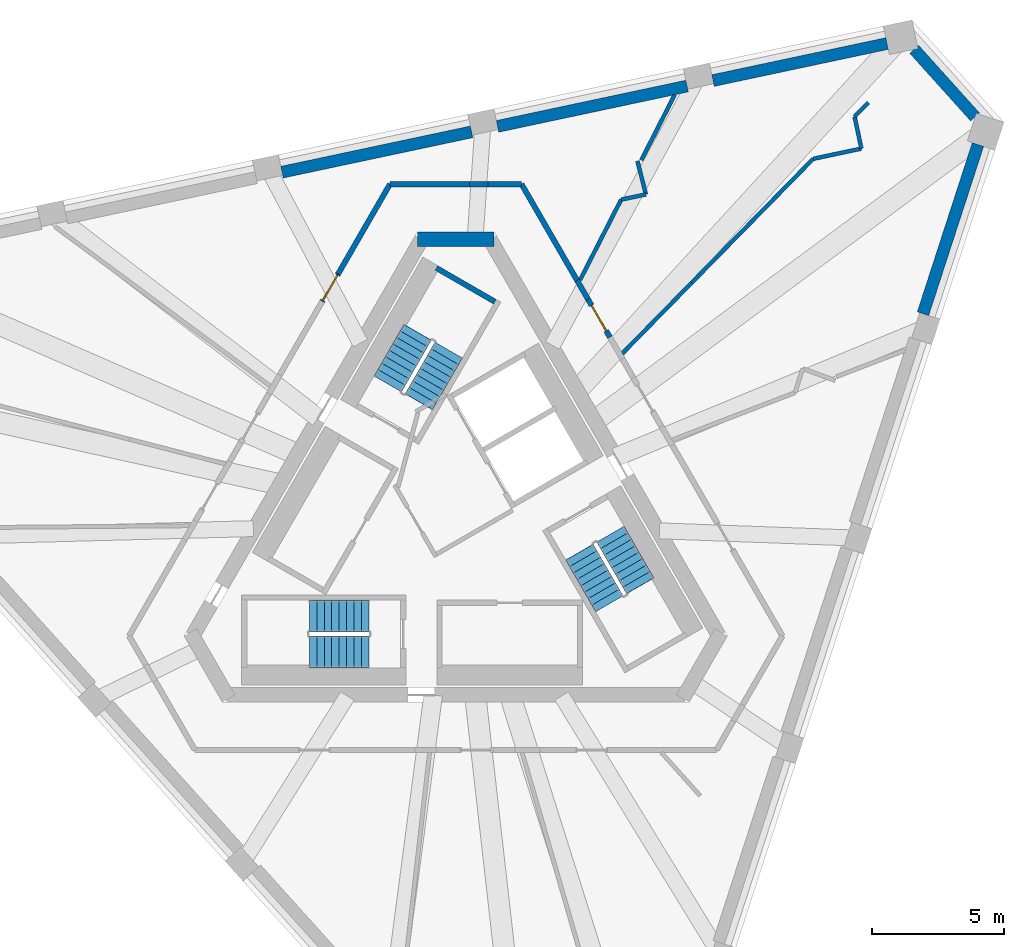
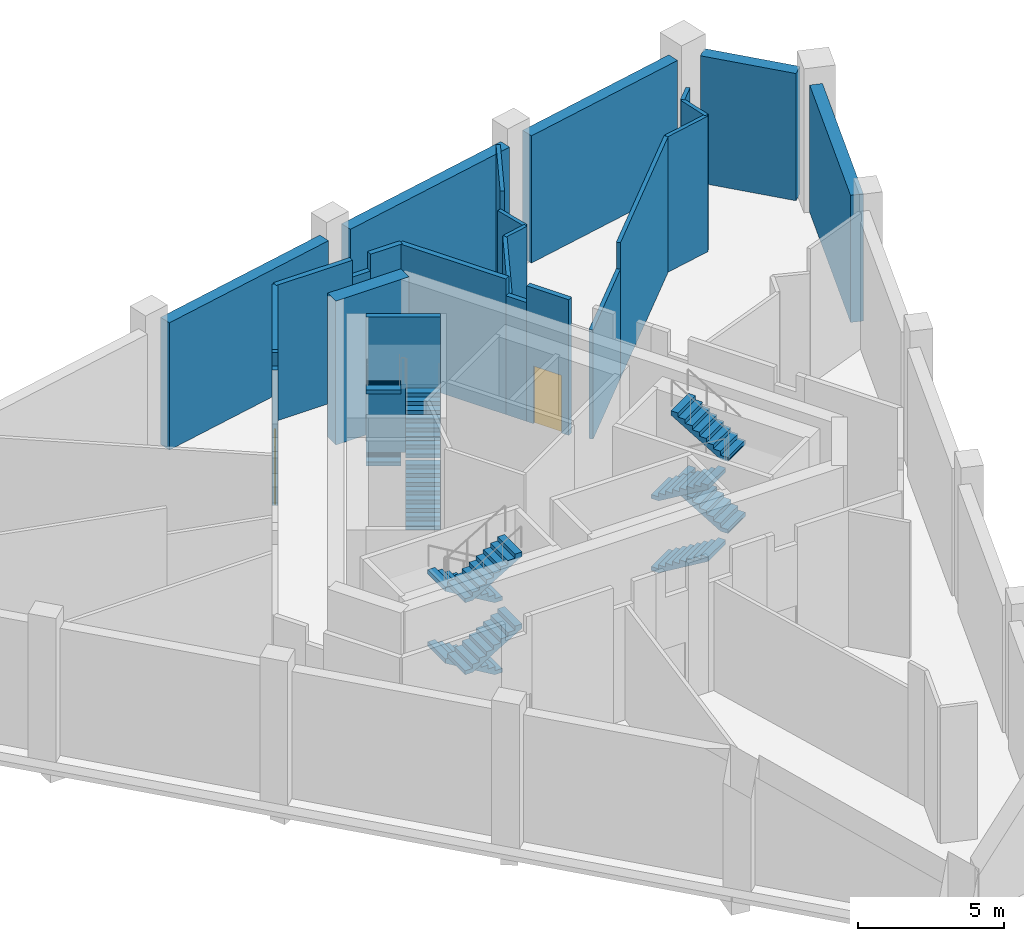
# One storey, part 4 of 5: 24 walls, 12 stair flights, 2 doors, 2 openings, 3 elements without a shape of their own.
"""IFC4 building model written with IfcOpenShell, lengths in metres."""

from ifc_helpers import new_model, si_unit, direction, frame, frame_2d, origin, place, context, subcontext, project, spatial, polyline, rectangle, outline, extrude, material, layer, layer_set, type_object, element, fill, aggregate, save


model = new_model("IFC4")

# Units and contexts
model_context = context("Model", 3, precision=1e-05, world=origin(), true_north=direction((0.0, 1.0)))
body_context = subcontext(model_context, "Body", "Model", "MODEL_VIEW")
ifc_project = project(units=[si_unit("LENGTHUNIT", "METRE"), si_unit("AREAUNIT", "SQUARE_METRE"), si_unit("VOLUMEUNIT", "CUBIC_METRE"), si_unit("PLANEANGLEUNIT", "RADIAN"), si_unit("MASSUNIT", "GRAM", prefix="KILO")], contexts=[model_context])

# Site, building, storey
site_placement = place(None, origin())
site = spatial("IfcSite", under=ifc_project, at=site_placement, CompositionType="ELEMENT")
building_placement = place(site_placement, origin())
building = spatial("IfcBuilding", under=site, at=building_placement, Name="Tramontana Tower", CompositionType="ELEMENT")
storey_placement = place(building_placement, frame((0.0, 0.0, 374.89990234375)))
storey = spatial("IfcBuildingStorey", under=building, at=storey_placement, Name="L86", CompositionType="ELEMENT", Elevation=374.89990234375)

# Wall
ifc_material_1 = material(Name="Concrete 70 MPa", Category="concrete")
ifc_layer_1 = layer(ifc_material_1, 0.550048828125)
ifc_layer_set_1 = layer_set([ifc_layer_1], Name="Core wall 550 70 MPa")
wall_type_1 = type_object("IfcWallType", Name="Core wall 550 70 MPa", PredefinedType="SHEAR", material=ifc_layer_set_1)
wall_1_placement = place(storey_placement, frame((1.443359375, 10.72509765625, 0.0), z_axis=(0.0, 0.0, 1.0), x_axis=(-1.0, 0.0, 0.0)))
element("IfcWall", 1, at=wall_1_placement, inside=storey, type_object=wall_type_1, Name="Core wall C0 L86", PredefinedType="SHEAR", context=body_context, shape_type="SweptSolid", body=[
    extrude(rectangle(XDim=2.88671875, YDim=0.550048828125, at=frame_2d((1.443359375, 0.0))), origin(), (0.0, 0.0, 1.0), 6.0),
])

# Wall, opening, door
ifc_material_2 = material(Name="Blockwork", Category="masonry")
ifc_layer_2 = layer(ifc_material_2, 0.199951171875)
ifc_layer_set_2 = layer_set([ifc_layer_2], Name="ENTRY WALL 200")
wall_type_2 = type_object("IfcWallType", Name="ENTRY WALL 200", PredefinedType="SOLIDWALL", material=ifc_layer_set_2)
wall_2_placement = place(storey_placement, frame((-5.037353515625, 8.375244140625, 0.0), z_axis=(0.0, 0.0, 1.0), x_axis=(0.50012165622, 0.865955154139, 0.0)))
wall_2 = element("IfcWall", 2, at=wall_2_placement, inside=storey, type_object=wall_type_2, Name="Wall ew3-9", PredefinedType="SOLIDWALL", context=body_context, shape_type="SweptSolid", body=[
    extrude(outline(polyline([(0.0, 0.0), (1.199951171875, 0.0), (1.199951171875, 5.650146484375), (1.043701171875, 5.650146484375), (1.043701171875, 4.9501953125), (0.21728515625, 4.9501953125), (0.21728515625, 5.650146484375), (0.0, 5.650146484375), (0.0, 0.0)])), frame((0.0, 0.10009765625, 0.0), z_axis=(0.0, -1.0, 0.0), x_axis=(1.0, 0.0, 0.0)), (0.0, 0.0, 1.0), 0.199951171875),
])
opening_1_placement = place(wall_2_placement, frame((0.050048828125, 0.0, 0.0)))
opening_1 = element("IfcOpeningElement", 3, at=opening_1_placement, cuts=wall_2, Name="Opening L86-01", PredefinedType="OPENING", context=body_context, shape_type="SweptSolid", body=[
    extrude(rectangle(XDim=1.10009765625, YDim=2.39990234375, at=frame_2d((0.550048828125, 1.199951171875))), frame((0.0, 0.10986328125, 0.0), z_axis=(0.0, -1.0, 0.0), x_axis=(1.0, 0.0, 0.0)), (0.0, 0.0, 1.0), 0.219970703125),
])
ifc_material_3 = material(Name="Painted timber", Category="wood")
door_type = type_object("IfcDoorType", Name="DOOR ENTRY 1100", OperationType="SINGLE_SWING_LEFT", PredefinedType="DOOR", material=ifc_material_3)
door_1_placement = place(opening_1_placement, origin())
door_1 = element("IfcDoor", 4, at=door_1_placement, inside=storey, type_object=door_type, Name="Door L86-01", OperationType="SINGLE_SWING_RIGHT", OverallHeight=2.39990234375, OverallWidth=1.10009765625, PredefinedType="DOOR", context=body_context, shape_type="SweptSolid", body=[
    extrude(rectangle(XDim=1.10009765625, YDim=2.39990234375, at=frame_2d((0.550048828125, 1.199951171875))), frame((0.0, 0.02490234375, 0.0), z_axis=(0.0, -1.0, 0.0), x_axis=(1.0, 0.0, 0.0)), (0.0, 0.0, 1.0), 0.050048828125),
])
fill(opening_1, door_1)

# Walls
wall_3_placement = place(storey_placement, frame((-4.437255859375, 9.414306640625, 0.0), z_axis=(0.0, 0.0, 1.0), x_axis=(0.499967516757, 0.866044157181, 0.0)))
element("IfcWall", 5, at=wall_3_placement, inside=storey, type_object=wall_type_2, Name="Wall ew3-10", PredefinedType="SOLIDWALL", context=body_context, shape_type="SweptSolid", body=[
    extrude(rectangle(XDim=3.909423828125, YDim=0.199951171875, at=frame_2d((1.95458984375, 0.0))), origin(), (0.0, 0.0, 1.0), 5.650146484375),
])
wall_4_placement = place(storey_placement, frame((-2.482666015625, 12.800048828125, 0.0), z_axis=(0.0, 0.0, 1.0), x_axis=(1.0, 0.0, 0.0)))
element("IfcWall", 6, at=wall_4_placement, inside=storey, type_object=wall_type_2, Name="Wall ew4-0", PredefinedType="SOLIDWALL", context=body_context, shape_type="SweptSolid", body=[
    extrude(rectangle(XDim=3.0029296875, YDim=0.199951171875, at=frame_2d((1.50146484375, 0.0))), origin(), (0.0, 0.0, 1.0), 5.650146484375),
])
wall_5_placement = place(storey_placement, frame((0.520263671875, 12.800048828125, 0.0), z_axis=(0.0, 0.0, 1.0), x_axis=(1.0, 0.0, 0.0)))
element("IfcWall", 7, at=wall_5_placement, inside=storey, type_object=wall_type_2, Name="Wall ew4-1", PredefinedType="SOLIDWALL", context=body_context, shape_type="SweptSolid", body=[
    extrude(rectangle(XDim=0.701416015625, YDim=0.199951171875, at=frame_2d((0.3505859375, 0.0))), origin(), (0.0, 0.0, 1.0), 4.9501953125),
])
wall_6_placement = place(storey_placement, frame((1.2216796875, 12.800048828125, 0.0), z_axis=(0.0, 0.0, 1.0), x_axis=(1.0, 0.0, 0.0)))
element("IfcWall", 8, at=wall_6_placement, inside=storey, type_object=wall_type_2, Name="Wall ew4-2", PredefinedType="SOLIDWALL", context=body_context, shape_type="SweptSolid", body=[
    extrude(rectangle(XDim=1.260986328125, YDim=0.199951171875, at=frame_2d((0.63037109375, 0.0))), origin(), (0.0, 0.0, 1.0), 5.650146484375),
])
wall_7_placement = place(storey_placement, frame((2.482666015625, 12.800048828125, 0.0), z_axis=(0.0, 0.0, 1.0), x_axis=(0.499982771656, -0.866035350345, 0.0)))
element("IfcWall", 9, at=wall_7_placement, inside=storey, type_object=wall_type_2, Name="Wall ew5-0", PredefinedType="SOLIDWALL", context=body_context, shape_type="SweptSolid", body=[
    extrude(rectangle(XDim=4.194580078125, YDim=0.199951171875, at=frame_2d((2.09716796875, 0.0))), origin(), (0.0, 0.0, 1.0), 5.650146484375),
])
wall_8_placement = place(storey_placement, frame((4.579833984375, 9.16748046875, 0.0), z_axis=(0.0, 0.0, 1.0), x_axis=(0.499945576647, -0.866056822842, 0.0)))
element("IfcWall", 10, at=wall_8_placement, inside=storey, type_object=wall_type_2, Name="Wall ew5-1", PredefinedType="SOLIDWALL", context=body_context, shape_type="SweptSolid", body=[
    extrude(rectangle(XDim=0.82080078125, YDim=0.199951171875, at=frame_2d((0.410400390625, 0.0))), origin(), (0.0, 0.0, 1.0), 4.9501953125),
])

# Wall, opening, door
wall_9_placement = place(storey_placement, frame((4.990234375, 8.45654296875, 0.0), z_axis=(0.0, 0.0, 1.0), x_axis=(0.500024536802, -0.866011236992, 0.0)))
wall_9 = element("IfcWall", 11, at=wall_9_placement, inside=storey, type_object=wall_type_2, Name="Wall ew5-2", PredefinedType="SOLIDWALL", context=body_context, shape_type="SweptSolid", body=[
    extrude(rectangle(XDim=1.65576171875, YDim=0.199951171875, at=frame_2d((0.827880859375, 0.0))), origin(), (0.0, 0.0, 1.0), 5.650146484375),
])
opening_2_placement = place(wall_9_placement, frame((0.2724609375, 0.0, 0.0)))
opening_2 = element("IfcOpeningElement", 12, at=opening_2_placement, cuts=wall_9, Name="Opening L86-09", PredefinedType="OPENING", context=body_context, shape_type="SweptSolid", body=[
    extrude(rectangle(XDim=1.10009765625, YDim=2.39990234375, at=frame_2d((0.550048828125, 1.199951171875))), frame((0.0, 0.10986328125, 0.0), z_axis=(0.0, -1.0, 0.0), x_axis=(1.0, 0.0, 0.0)), (0.0, 0.0, 1.0), 0.219970703125),
])
door_2_placement = place(opening_2_placement, origin())
door_2 = element("IfcDoor", 13, at=door_2_placement, inside=storey, type_object=door_type, Name="Door L86-09", OperationType="SINGLE_SWING_RIGHT", OverallHeight=2.39990234375, OverallWidth=1.10009765625, PredefinedType="DOOR", context=body_context, shape_type="SweptSolid", body=[
    extrude(rectangle(XDim=1.10009765625, YDim=2.39990234375, at=frame_2d((0.550048828125, 1.199951171875))), frame((0.0, 0.02490234375, 0.0), z_axis=(0.0, -1.0, 0.0), x_axis=(1.0, 0.0, 0.0)), (0.0, 0.0, 1.0), 0.050048828125),
])
fill(opening_2, door_2)

# Walls
ifc_material_4 = material(Name="Precast concrete 60 MPa", Category="concrete")
ifc_layer_3 = layer(ifc_material_4, 0.449951171875)
ifc_layer_set_3 = layer_set([ifc_layer_3], Name="Precast concrete 60 MPa, 450 mm")
wall_type_3 = type_object("IfcWallType", Name="EW1 Stone-faced precast wall 450", PredefinedType="SOLIDWALL", material=ifc_layer_set_3)
wall_10_placement = place(storey_placement, frame((17.632080078125, 7.9091796875, 0.0), z_axis=(0.0, 0.0, 1.0), x_axis=(0.309018647645, 0.951055979114, 0.0)))
element("IfcWall", 14, at=wall_10_placement, inside=storey, type_object=wall_type_3, Name="Stone band wall L86 face 1s 5", PredefinedType="SOLIDWALL", context=body_context, shape_type="SweptSolid", body=[
    extrude(rectangle(XDim=6.7138671875, YDim=0.449951171875, at=frame_2d((3.35693359375, 0.0))), origin(), (0.0, 0.0, 1.0), 5.300048828125),
])
wall_11_placement = place(storey_placement, frame((19.597900390625, 15.334716796875, 0.0), z_axis=(0.0, 0.0, 1.0), x_axis=(-0.669109997009, 0.743163381702, 0.0)))
element("IfcWall", 15, at=wall_11_placement, inside=storey, type_object=wall_type_3, Name="Stone band wall L86 face 2k 1", PredefinedType="SOLIDWALL", context=body_context, shape_type="SweptSolid", body=[
    extrude(rectangle(XDim=3.435302734375, YDim=0.449951171875, at=frame_2d((1.7177734375, 0.0))), origin(), (0.0, 0.0, 1.0), 5.300048828125),
])
for number, where, z_axis, x_axis, name in (
    (16, (0.5986328125, 14.772216796875, 0.0), (0.0, 0.0, 1.0), (-0.978151299843, -0.207894287118, 0.0), "Stone band wall L86 face 2s 3"),
    (17, (8.73095703125, 16.500732421875, 0.0), (0.0, 0.0, 1.0), (-0.978151299843, -0.207894287118, 0.0), "Stone band wall L86 face 2s 4"),
):
    element("IfcWall", number, at=place(storey_placement, frame(where, z_axis=z_axis, x_axis=x_axis)), inside=storey, type_object=wall_type_3, Name=name, PredefinedType="SOLIDWALL", context=body_context, shape_type="SweptSolid", body=[
        extrude(rectangle(XDim=7.31396484375, YDim=0.449951171875, at=frame_2d((3.656982421875, 0.0))), origin(), (0.0, 0.0, 1.0), 5.300048828125),
    ])
wall_12_placement = place(storey_placement, frame((16.276123046875, 18.104736328125, 0.0), z_axis=(0.0, 0.0, 1.0), x_axis=(-0.978144338977, -0.207927035587, 0.0)))
element("IfcWall", 18, at=wall_12_placement, inside=storey, type_object=wall_type_3, Name="Stone band wall L86 face 2s 5", PredefinedType="SOLIDWALL", context=body_context, shape_type="SweptSolid", body=[
    extrude(rectangle(XDim=6.7138671875, YDim=0.449951171875, at=frame_2d((3.35693359375, 0.0))), origin(), (0.0, 0.0, 1.0), 5.300048828125),
])
ifc_material_5 = material(Name="Gypsum board partition")
ifc_layer_4 = layer(ifc_material_5, 0.14990234375)
ifc_layer_set_4 = layer_set([ifc_layer_4], Name="PARTITION 150")
wall_type_4 = type_object("IfcWallType", Name="PARTITION 150", PredefinedType="PARTITIONING", material=ifc_layer_set_4)
wall_13_placement = place(storey_placement, frame((6.24072265625, 12.213623046875, 0.0), z_axis=(0.0, 0.0, 1.0), x_axis=(-0.455016426367, -0.890483044047, 0.0)))
element("IfcWall", 19, at=wall_13_placement, inside=storey, type_object=wall_type_4, Name="Wall fw-pw13-0", PredefinedType="PARTITIONING", context=body_context, shape_type="SweptSolid", body=[
    extrude(rectangle(XDim=3.4091796875, YDim=0.14990234375, at=frame_2d((1.70458984375, 0.0))), origin(), (0.0, 0.0, 1.0), 4.9501953125),
])
wall_14_placement = place(storey_placement, frame((6.286865234375, 6.410888671875, 0.0), z_axis=(0.0, 0.0, 1.0), x_axis=(0.700152348121, 0.713993479956, 0.0)))
element("IfcWall", 20, at=wall_14_placement, inside=storey, type_object=wall_type_4, Name="Wall fw-pw14-0", PredefinedType="PARTITIONING", context=body_context, shape_type="SweptSolid", body=[
    extrude(rectangle(XDim=3.739501953125, YDim=0.14990234375, at=frame_2d((1.86962890625, 0.0))), origin(), (0.0, 0.0, 1.0), 4.550048828125),
])
wall_15_placement = place(storey_placement, frame((8.905029296875, 9.080810546875, 0.0), z_axis=(0.0, 0.0, 1.0), x_axis=(0.700154559569, 0.713991311372, 0.0)))
element("IfcWall", 21, at=wall_15_placement, inside=storey, type_object=wall_type_4, Name="Wall fw-pw14-1", PredefinedType="PARTITIONING", context=body_context, shape_type="SweptSolid", body=[
    extrude(rectangle(XDim=6.546142578125, YDim=0.14990234375, at=frame_2d((3.27294921875, 0.0))), origin(), (0.0, 0.0, 1.0), 5.650146484375),
])
wall_16_placement = place(storey_placement, frame((6.856201171875, 13.67431640625, 0.0), z_axis=(0.0, 0.0, 1.0), x_axis=(0.245448654104, -0.969409592586, 0.0)))
element("IfcWall", 22, at=wall_16_placement, inside=storey, type_object=wall_type_4, Name="Wall fw-pw15-0", PredefinedType="PARTITIONING", context=body_context, shape_type="SweptSolid", body=[
    extrude(rectangle(XDim=1.301025390625, YDim=0.14990234375, at=frame_2d((0.650390625, 0.0))), origin(), (0.0, 0.0, 1.0), 4.9501953125),
])
wall_17_placement = place(storey_placement, frame((7.17529296875, 12.4130859375, 0.0), z_axis=(0.0, 0.0, 1.0), x_axis=(-0.978167956207, -0.207815902784, 0.0)))
element("IfcWall", 23, at=wall_17_placement, inside=storey, type_object=wall_type_4, Name="Wall fw-pw16-0", PredefinedType="PARTITIONING", context=body_context, shape_type="SweptSolid", body=[
    extrude(rectangle(XDim=0.953857421875, YDim=0.14990234375, at=frame_2d((0.47705078125, 0.0))), origin(), (0.0, 0.0, 1.0), 4.9501953125),
])
wall_18_placement = place(storey_placement, frame((8.262939453125, 16.17138671875, 0.0), z_axis=(0.0, 0.0, 1.0), x_axis=(-0.455025618666, -0.890478346934, 0.0)))
element("IfcWall", 24, at=wall_18_placement, inside=storey, type_object=wall_type_4, Name="Wall fw-pw19", PredefinedType="PARTITIONING", context=body_context, shape_type="SweptSolid", body=[
    extrude(rectangle(XDim=2.76904296875, YDim=0.14990234375, at=frame_2d((1.384521484375, 0.0))), origin(), (0.0, 0.0, 1.0), 5.650146484375),
])
wall_19_placement = place(storey_placement, frame((13.488525390625, 13.7548828125, 0.0), z_axis=(0.0, 0.0, 1.0), x_axis=(0.978154843267, 0.207877614461, 0.0)))
element("IfcWall", 25, at=wall_19_placement, inside=storey, type_object=wall_type_4, Name="Wall fw-pw22", PredefinedType="PARTITIONING", context=body_context, shape_type="SweptSolid", body=[
    extrude(rectangle(XDim=1.85791015625, YDim=0.14990234375, at=frame_2d((0.928955078125, 0.0))), origin(), (0.0, 0.0, 1.0), 5.650146484375),
])
wall_20_placement = place(storey_placement, frame((15.05126953125, 15.3486328125, 0.0), z_axis=(0.0, 0.0, 1.0), x_axis=(0.700199040738, 0.713947689505, 0.0)))
element("IfcWall", 26, at=wall_20_placement, inside=storey, type_object=wall_type_4, Name="Wall fw-pw24", PredefinedType="PARTITIONING", context=body_context, shape_type="SweptSolid", body=[
    extrude(rectangle(XDim=0.745849609375, YDim=0.14990234375, at=frame_2d((0.373046875, 0.0))), origin(), (0.0, 0.0, 1.0), 5.650146484375),
])
wall_21_placement = place(storey_placement, frame((15.307373046875, 14.1435546875, 0.0), z_axis=(0.0, 0.0, 1.0), x_axis=(-0.207918018685, 0.978146255683, 0.0)))
element("IfcWall", 27, at=wall_21_placement, inside=storey, type_object=wall_type_4, Name="Wall fw-pw25", PredefinedType="PARTITIONING", context=body_context, shape_type="SweptSolid", body=[
    extrude(rectangle(XDim=1.231689453125, YDim=0.14990234375, at=frame_2d((0.61572265625, 0.0))), origin(), (0.0, 0.0, 1.0), 5.650146484375),
])
ifc_material_6 = material(Name="Concrete 70 MPa", Category="concrete")
ifc_layer_5 = layer(ifc_material_6, 0.199951171875)
ifc_layer_set_5 = layer_set([ifc_layer_5], Name="Concrete 70 MPa, 200 mm")
wall_type_5 = type_object("IfcWallType", Name="RC STAIR AND SHAFT WALL 200", PredefinedType="SOLIDWALL", material=ifc_layer_set_5)
wall_22_placement = place(storey_placement, frame((1.478515625, 8.36083984375, 0.0), z_axis=(0.0, 0.0, 1.0), x_axis=(-0.865989465428, 0.500062241894, 0.0)))
element("IfcWall", 28, at=wall_22_placement, inside=storey, type_object=wall_type_5, Name="Wall st1-far", PredefinedType="SOLIDWALL", context=body_context, shape_type="SweptSolid", body=[
    extrude(rectangle(XDim=2.550048828125, YDim=0.199951171875, at=frame_2d((1.27490234375, 0.0))), origin(), (0.0, 0.0, 1.0), 5.650146484375),
])

# Stair, stair flights
ifc_material_7 = material(Name="Concrete 40 MPa", Category="concrete")
stair_type = type_object("IfcStairType", Name="EXIT STAIR 36 RISERS", PredefinedType="HALF_TURN_STAIR", material=ifc_material_7)
stair_1_placement = place(storey_placement, origin())
stair_1 = element("IfcStair", 29, at=stair_1_placement, inside=storey, type_object=stair_type, Name="L86 Exit stair ST1", PredefinedType="HALF_TURN_STAIR")
ifc_material_8 = material(Name="Concrete 40 MPa", Category="concrete")
ifc_layer_6 = layer(ifc_material_8, 0.14990234375)
ifc_layer_set_6 = layer_set([ifc_layer_6], Name="EXIT STAIR FLIGHT")
stair_flight_type = type_object("IfcStairFlightType", Name="EXIT STAIR FLIGHT", PredefinedType="STRAIGHT", material=ifc_layer_set_6)
stair_flight_1_placement = place(storey_placement, frame((-1.39111328125, 4.590576171875, 0.0), z_axis=(0.0, 0.0, 1.0), x_axis=(0.5, 0.866025403784, 0.0)))
stair_flight_1 = element("IfcStairFlight", 30, at=stair_flight_1_placement, type_object=stair_flight_type, Name="ST1 flight 1", NumberOfRisers=9, NumberOfTreads=8, PredefinedType="STRAIGHT", RiserHeight=0.166666667, TreadLength=0.28, context=body_context, shape_type="SweptSolid", body=[
    extrude(outline(polyline([(-0.006103515625, 0.0), (-0.006103515625, 0.0400390625), (0.0, 0.0400390625), (0.0, 0.166748046875), (0.280029296875, 0.166748046875), (0.280029296875, 0.333251953125), (0.56005859375, 0.333251953125), (0.56005859375, 0.5), (0.840087890625, 0.5), (0.840087890625, 0.666748046875), (1.1201171875, 0.666748046875), (1.1201171875, 0.833251953125), (1.39990234375, 0.833251953125), (1.39990234375, 1.0), (1.679931640625, 1.0), (1.679931640625, 1.166748046875), (1.9599609375, 1.166748046875), (1.9599609375, 1.333251953125), (2.239990234375, 1.333251953125), (2.24609375, 1.333251953125), (2.24609375, 1.158935546875), (0.299072265625, 0.0), (-0.006103515625, 0.0)])), frame((0.0, 0.60009765625, 0.0), z_axis=(0.0, -1.0, 0.0), x_axis=(1.0, 0.0, 0.0)), (0.0, 0.0, 1.0), 1.199951171875),
])
stair_flight_2_placement = place(storey_placement, frame((-1.440185546875, 7.20556640625, 1.5), z_axis=(0.0, 0.0, 1.0), x_axis=(-0.5, -0.866025403784, 0.0)))
stair_flight_2 = element("IfcStairFlight", 31, at=stair_flight_2_placement, type_object=stair_flight_type, Name="ST1 flight 2", NumberOfRisers=9, NumberOfTreads=8, PredefinedType="STRAIGHT", RiserHeight=0.166666667, TreadLength=0.28, context=body_context, shape_type="SweptSolid", body=[
    extrude(outline(polyline([(-0.006103515625, 0.0), (-0.006103515625, 0.0400390625), (0.0, 0.0400390625), (0.0, 0.166748046875), (0.280029296875, 0.166748046875), (0.280029296875, 0.333251953125), (0.56005859375, 0.333251953125), (0.56005859375, 0.5), (0.840087890625, 0.5), (0.840087890625, 0.666748046875), (1.1201171875, 0.666748046875), (1.1201171875, 0.833251953125), (1.39990234375, 0.833251953125), (1.39990234375, 1.0), (1.679931640625, 1.0), (1.679931640625, 1.166748046875), (1.9599609375, 1.166748046875), (1.9599609375, 1.333251953125), (2.239990234375, 1.333251953125), (2.24609375, 1.333251953125), (2.24609375, 1.158935546875), (0.299072265625, 0.0), (-0.006103515625, 0.0)])), frame((0.0, 0.60009765625, 0.0), z_axis=(0.0, -1.0, 0.0), x_axis=(1.0, 0.0, 0.0)), (0.0, 0.0, 1.0), 1.199951171875),
])
stair_flight_3_placement = place(storey_placement, frame((-1.39111328125, 4.590576171875, 3.0), z_axis=(0.0, 0.0, 1.0), x_axis=(0.5, 0.866025403784, 0.0)))
stair_flight_3 = element("IfcStairFlight", 32, at=stair_flight_3_placement, type_object=stair_flight_type, Name="ST1 flight 3", NumberOfRisers=9, NumberOfTreads=8, PredefinedType="STRAIGHT", RiserHeight=0.166666667, TreadLength=0.28, context=body_context, shape_type="SweptSolid", body=[
    extrude(outline(polyline([(-0.006103515625, 0.0), (-0.006103515625, 0.0400390625), (0.0, 0.0400390625), (0.0, 0.166748046875), (0.280029296875, 0.166748046875), (0.280029296875, 0.333251953125), (0.56005859375, 0.333251953125), (0.56005859375, 0.5), (0.840087890625, 0.5), (0.840087890625, 0.666748046875), (1.1201171875, 0.666748046875), (1.1201171875, 0.833251953125), (1.39990234375, 0.833251953125), (1.39990234375, 1.0), (1.679931640625, 1.0), (1.679931640625, 1.166748046875), (1.9599609375, 1.166748046875), (1.9599609375, 1.333251953125), (2.239990234375, 1.333251953125), (2.24609375, 1.333251953125), (2.24609375, 1.158935546875), (0.299072265625, 0.0), (-0.006103515625, 0.0)])), frame((0.0, 0.60009765625, 0.0), z_axis=(0.0, -1.0, 0.0), x_axis=(1.0, 0.0, 0.0)), (0.0, 0.0, 1.0), 1.199951171875),
])
stair_flight_4_placement = place(storey_placement, frame((-1.440185546875, 7.20556640625, 4.5), z_axis=(0.0, 0.0, 1.0), x_axis=(-0.5, -0.866025403784, 0.0)))
stair_flight_4 = element("IfcStairFlight", 33, at=stair_flight_4_placement, type_object=stair_flight_type, Name="ST1 flight 4", NumberOfRisers=9, NumberOfTreads=8, PredefinedType="STRAIGHT", RiserHeight=0.166666667, TreadLength=0.28, context=body_context, shape_type="SweptSolid", body=[
    extrude(outline(polyline([(-0.006103515625, 0.0), (-0.006103515625, 0.0400390625), (0.0, 0.0400390625), (0.0, 0.166748046875), (0.280029296875, 0.166748046875), (0.280029296875, 0.333251953125), (0.56005859375, 0.333251953125), (0.56005859375, 0.5), (0.840087890625, 0.5), (0.840087890625, 0.666748046875), (1.1201171875, 0.666748046875), (1.1201171875, 0.833251953125), (1.39990234375, 0.833251953125), (1.39990234375, 1.0), (1.679931640625, 1.0), (1.679931640625, 1.166748046875), (1.9599609375, 1.166748046875), (1.9599609375, 1.333251953125), (2.239990234375, 1.333251953125), (2.24609375, 1.333251953125), (2.24609375, 1.158935546875), (0.299072265625, 0.0), (-0.006103515625, 0.0)])), frame((0.0, 0.60009765625, 0.0), z_axis=(0.0, -1.0, 0.0), x_axis=(1.0, 0.0, 0.0)), (0.0, 0.0, 1.0), 1.199951171875),
])
aggregate(stair_1, [stair_flight_1, stair_flight_2, stair_flight_3, stair_flight_4])

stair_2_placement = place(storey_placement, origin())
stair_2 = element("IfcStair", 34, at=stair_2_placement, inside=storey, type_object=stair_type, Name="L86 Exit stair ST2", PredefinedType="HALF_TURN_STAIR")
stair_flight_5_placement = place(storey_placement, frame((-3.280029296875, -3.5, 0.0), z_axis=(0.0, 0.0, 1.0), x_axis=(-1.0, 0.0, 0.0)))
stair_flight_5 = element("IfcStairFlight", 35, at=stair_flight_5_placement, type_object=stair_flight_type, Name="ST2 flight 1", NumberOfRisers=9, NumberOfTreads=8, PredefinedType="STRAIGHT", RiserHeight=0.166666667, TreadLength=0.28, context=body_context, shape_type="SweptSolid", body=[
    extrude(outline(polyline([(-0.006103515625, 0.0), (-0.006103515625, 0.0400390625), (0.0, 0.0400390625), (0.0, 0.166748046875), (0.280029296875, 0.166748046875), (0.280029296875, 0.333251953125), (0.56005859375, 0.333251953125), (0.56005859375, 0.5), (0.840087890625, 0.5), (0.840087890625, 0.666748046875), (1.1201171875, 0.666748046875), (1.1201171875, 0.833251953125), (1.39990234375, 0.833251953125), (1.39990234375, 1.0), (1.679931640625, 1.0), (1.679931640625, 1.166748046875), (1.9599609375, 1.166748046875), (1.9599609375, 1.333251953125), (2.239990234375, 1.333251953125), (2.24609375, 1.333251953125), (2.24609375, 1.158935546875), (0.299072265625, 0.0), (-0.006103515625, 0.0)])), frame((0.0, 0.60009765625, 0.0), z_axis=(0.0, -1.0, 0.0), x_axis=(1.0, 0.0, 0.0)), (0.0, 0.0, 1.0), 1.199951171875),
])
stair_flight_6_placement = place(storey_placement, frame((-5.52001953125, -4.85009765625, 1.5), z_axis=(0.0, 0.0, 1.0), x_axis=(1.0, 0.0, 0.0)))
stair_flight_6 = element("IfcStairFlight", 36, at=stair_flight_6_placement, type_object=stair_flight_type, Name="ST2 flight 2", NumberOfRisers=9, NumberOfTreads=8, PredefinedType="STRAIGHT", RiserHeight=0.166666667, TreadLength=0.28, context=body_context, shape_type="SweptSolid", body=[
    extrude(outline(polyline([(-0.006103515625, 0.0), (-0.006103515625, 0.0400390625), (0.0, 0.0400390625), (0.0, 0.166748046875), (0.280029296875, 0.166748046875), (0.280029296875, 0.333251953125), (0.56005859375, 0.333251953125), (0.56005859375, 0.5), (0.840087890625, 0.5), (0.840087890625, 0.666748046875), (1.1201171875, 0.666748046875), (1.1201171875, 0.833251953125), (1.39990234375, 0.833251953125), (1.39990234375, 1.0), (1.679931640625, 1.0), (1.679931640625, 1.166748046875), (1.9599609375, 1.166748046875), (1.9599609375, 1.333251953125), (2.239990234375, 1.333251953125), (2.24609375, 1.333251953125), (2.24609375, 1.158935546875), (0.299072265625, 0.0), (-0.006103515625, 0.0)])), frame((0.0, 0.60009765625, 0.0), z_axis=(0.0, -1.0, 0.0), x_axis=(1.0, 0.0, 0.0)), (0.0, 0.0, 1.0), 1.199951171875),
])
stair_flight_7_placement = place(storey_placement, frame((-3.280029296875, -3.5, 3.0), z_axis=(0.0, 0.0, 1.0), x_axis=(-1.0, 0.0, 0.0)))
stair_flight_7 = element("IfcStairFlight", 37, at=stair_flight_7_placement, type_object=stair_flight_type, Name="ST2 flight 3", NumberOfRisers=9, NumberOfTreads=8, PredefinedType="STRAIGHT", RiserHeight=0.166666667, TreadLength=0.28, context=body_context, shape_type="SweptSolid", body=[
    extrude(outline(polyline([(-0.006103515625, 0.0), (-0.006103515625, 0.0400390625), (0.0, 0.0400390625), (0.0, 0.166748046875), (0.280029296875, 0.166748046875), (0.280029296875, 0.333251953125), (0.56005859375, 0.333251953125), (0.56005859375, 0.5), (0.840087890625, 0.5), (0.840087890625, 0.666748046875), (1.1201171875, 0.666748046875), (1.1201171875, 0.833251953125), (1.39990234375, 0.833251953125), (1.39990234375, 1.0), (1.679931640625, 1.0), (1.679931640625, 1.166748046875), (1.9599609375, 1.166748046875), (1.9599609375, 1.333251953125), (2.239990234375, 1.333251953125), (2.24609375, 1.333251953125), (2.24609375, 1.158935546875), (0.299072265625, 0.0), (-0.006103515625, 0.0)])), frame((0.0, 0.60009765625, 0.0), z_axis=(0.0, -1.0, 0.0), x_axis=(1.0, 0.0, 0.0)), (0.0, 0.0, 1.0), 1.199951171875),
])
stair_flight_8_placement = place(storey_placement, frame((-5.52001953125, -4.85009765625, 4.5), z_axis=(0.0, 0.0, 1.0), x_axis=(1.0, 0.0, 0.0)))
stair_flight_8 = element("IfcStairFlight", 38, at=stair_flight_8_placement, type_object=stair_flight_type, Name="ST2 flight 4", NumberOfRisers=9, NumberOfTreads=8, PredefinedType="STRAIGHT", RiserHeight=0.166666667, TreadLength=0.28, context=body_context, shape_type="SweptSolid", body=[
    extrude(outline(polyline([(-0.006103515625, 0.0), (-0.006103515625, 0.0400390625), (0.0, 0.0400390625), (0.0, 0.166748046875), (0.280029296875, 0.166748046875), (0.280029296875, 0.333251953125), (0.56005859375, 0.333251953125), (0.56005859375, 0.5), (0.840087890625, 0.5), (0.840087890625, 0.666748046875), (1.1201171875, 0.666748046875), (1.1201171875, 0.833251953125), (1.39990234375, 0.833251953125), (1.39990234375, 1.0), (1.679931640625, 1.0), (1.679931640625, 1.166748046875), (1.9599609375, 1.166748046875), (1.9599609375, 1.333251953125), (2.239990234375, 1.333251953125), (2.24609375, 1.333251953125), (2.24609375, 1.158935546875), (0.299072265625, 0.0), (-0.006103515625, 0.0)])), frame((0.0, 0.60009765625, 0.0), z_axis=(0.0, -1.0, 0.0), x_axis=(1.0, 0.0, 0.0)), (0.0, 0.0, 1.0), 1.199951171875),
])
aggregate(stair_2, [stair_flight_5, stair_flight_6, stair_flight_7, stair_flight_8])

stair_3_placement = place(storey_placement, origin())
stair_3 = element("IfcStair", 39, at=stair_3_placement, inside=storey, type_object=stair_type, Name="L86 Exit stair ST3", PredefinedType="HALF_TURN_STAIR")
stair_flight_9_placement = place(storey_placement, frame((4.671142578125, -1.090576171875, 0.0), z_axis=(0.0, 0.0, 1.0), x_axis=(0.5, -0.866025403784, 0.0)))
stair_flight_9 = element("IfcStairFlight", 40, at=stair_flight_9_placement, type_object=stair_flight_type, Name="ST3 flight 1", NumberOfRisers=9, NumberOfTreads=8, PredefinedType="STRAIGHT", RiserHeight=0.166666667, TreadLength=0.28, context=body_context, shape_type="SweptSolid", body=[
    extrude(outline(polyline([(-0.006103515625, 0.0), (-0.006103515625, 0.0400390625), (0.0, 0.0400390625), (0.0, 0.166748046875), (0.280029296875, 0.166748046875), (0.280029296875, 0.333251953125), (0.56005859375, 0.333251953125), (0.56005859375, 0.5), (0.840087890625, 0.5), (0.840087890625, 0.666748046875), (1.1201171875, 0.666748046875), (1.1201171875, 0.833251953125), (1.39990234375, 0.833251953125), (1.39990234375, 1.0), (1.679931640625, 1.0), (1.679931640625, 1.166748046875), (1.9599609375, 1.166748046875), (1.9599609375, 1.333251953125), (2.239990234375, 1.333251953125), (2.24609375, 1.333251953125), (2.24609375, 1.158935546875), (0.299072265625, 0.0), (-0.006103515625, 0.0)])), frame((0.0, 0.60009765625, 0.0), z_axis=(0.0, -1.0, 0.0), x_axis=(1.0, 0.0, 0.0)), (0.0, 0.0, 1.0), 1.199951171875),
])
stair_flight_10_placement = place(storey_placement, frame((6.960205078125, -2.35546875, 1.5), z_axis=(0.0, 0.0, 1.0), x_axis=(-0.5, 0.866025403784, 0.0)))
stair_flight_10 = element("IfcStairFlight", 41, at=stair_flight_10_placement, type_object=stair_flight_type, Name="ST3 flight 2", NumberOfRisers=9, NumberOfTreads=8, PredefinedType="STRAIGHT", RiserHeight=0.166666667, TreadLength=0.28, context=body_context, shape_type="SweptSolid", body=[
    extrude(outline(polyline([(-0.006103515625, 0.0), (-0.006103515625, 0.0400390625), (0.0, 0.0400390625), (0.0, 0.166748046875), (0.280029296875, 0.166748046875), (0.280029296875, 0.333251953125), (0.56005859375, 0.333251953125), (0.56005859375, 0.5), (0.840087890625, 0.5), (0.840087890625, 0.666748046875), (1.1201171875, 0.666748046875), (1.1201171875, 0.833251953125), (1.39990234375, 0.833251953125), (1.39990234375, 1.0), (1.679931640625, 1.0), (1.679931640625, 1.166748046875), (1.9599609375, 1.166748046875), (1.9599609375, 1.333251953125), (2.239990234375, 1.333251953125), (2.24609375, 1.333251953125), (2.24609375, 1.158935546875), (0.299072265625, 0.0), (-0.006103515625, 0.0)])), frame((0.0, 0.60009765625, 0.0), z_axis=(0.0, -1.0, 0.0), x_axis=(1.0, 0.0, 0.0)), (0.0, 0.0, 1.0), 1.199951171875),
])
stair_flight_11_placement = place(storey_placement, frame((4.671142578125, -1.090576171875, 3.0), z_axis=(0.0, 0.0, 1.0), x_axis=(0.5, -0.866025403784, 0.0)))
stair_flight_11 = element("IfcStairFlight", 42, at=stair_flight_11_placement, type_object=stair_flight_type, Name="ST3 flight 3", NumberOfRisers=9, NumberOfTreads=8, PredefinedType="STRAIGHT", RiserHeight=0.166666667, TreadLength=0.28, context=body_context, shape_type="SweptSolid", body=[
    extrude(outline(polyline([(-0.006103515625, 0.0), (-0.006103515625, 0.0400390625), (0.0, 0.0400390625), (0.0, 0.166748046875), (0.280029296875, 0.166748046875), (0.280029296875, 0.333251953125), (0.56005859375, 0.333251953125), (0.56005859375, 0.5), (0.840087890625, 0.5), (0.840087890625, 0.666748046875), (1.1201171875, 0.666748046875), (1.1201171875, 0.833251953125), (1.39990234375, 0.833251953125), (1.39990234375, 1.0), (1.679931640625, 1.0), (1.679931640625, 1.166748046875), (1.9599609375, 1.166748046875), (1.9599609375, 1.333251953125), (2.239990234375, 1.333251953125), (2.24609375, 1.333251953125), (2.24609375, 1.158935546875), (0.299072265625, 0.0), (-0.006103515625, 0.0)])), frame((0.0, 0.60009765625, 0.0), z_axis=(0.0, -1.0, 0.0), x_axis=(1.0, 0.0, 0.0)), (0.0, 0.0, 1.0), 1.199951171875),
])
stair_flight_12_placement = place(storey_placement, frame((6.960205078125, -2.35546875, 4.5), z_axis=(0.0, 0.0, 1.0), x_axis=(-0.5, 0.866025403784, 0.0)))
stair_flight_12 = element("IfcStairFlight", 43, at=stair_flight_12_placement, type_object=stair_flight_type, Name="ST3 flight 4", NumberOfRisers=9, NumberOfTreads=8, PredefinedType="STRAIGHT", RiserHeight=0.166666667, TreadLength=0.28, context=body_context, shape_type="SweptSolid", body=[
    extrude(outline(polyline([(-0.006103515625, 0.0), (-0.006103515625, 0.0400390625), (0.0, 0.0400390625), (0.0, 0.166748046875), (0.280029296875, 0.166748046875), (0.280029296875, 0.333251953125), (0.56005859375, 0.333251953125), (0.56005859375, 0.5), (0.840087890625, 0.5), (0.840087890625, 0.666748046875), (1.1201171875, 0.666748046875), (1.1201171875, 0.833251953125), (1.39990234375, 0.833251953125), (1.39990234375, 1.0), (1.679931640625, 1.0), (1.679931640625, 1.166748046875), (1.9599609375, 1.166748046875), (1.9599609375, 1.333251953125), (2.239990234375, 1.333251953125), (2.24609375, 1.333251953125), (2.24609375, 1.158935546875), (0.299072265625, 0.0), (-0.006103515625, 0.0)])), frame((0.0, 0.60009765625, 0.0), z_axis=(0.0, -1.0, 0.0), x_axis=(1.0, 0.0, 0.0)), (0.0, 0.0, 1.0), 1.199951171875),
])
aggregate(stair_3, [stair_flight_9, stair_flight_10, stair_flight_11, stair_flight_12])

save(model, "model.ifc")
